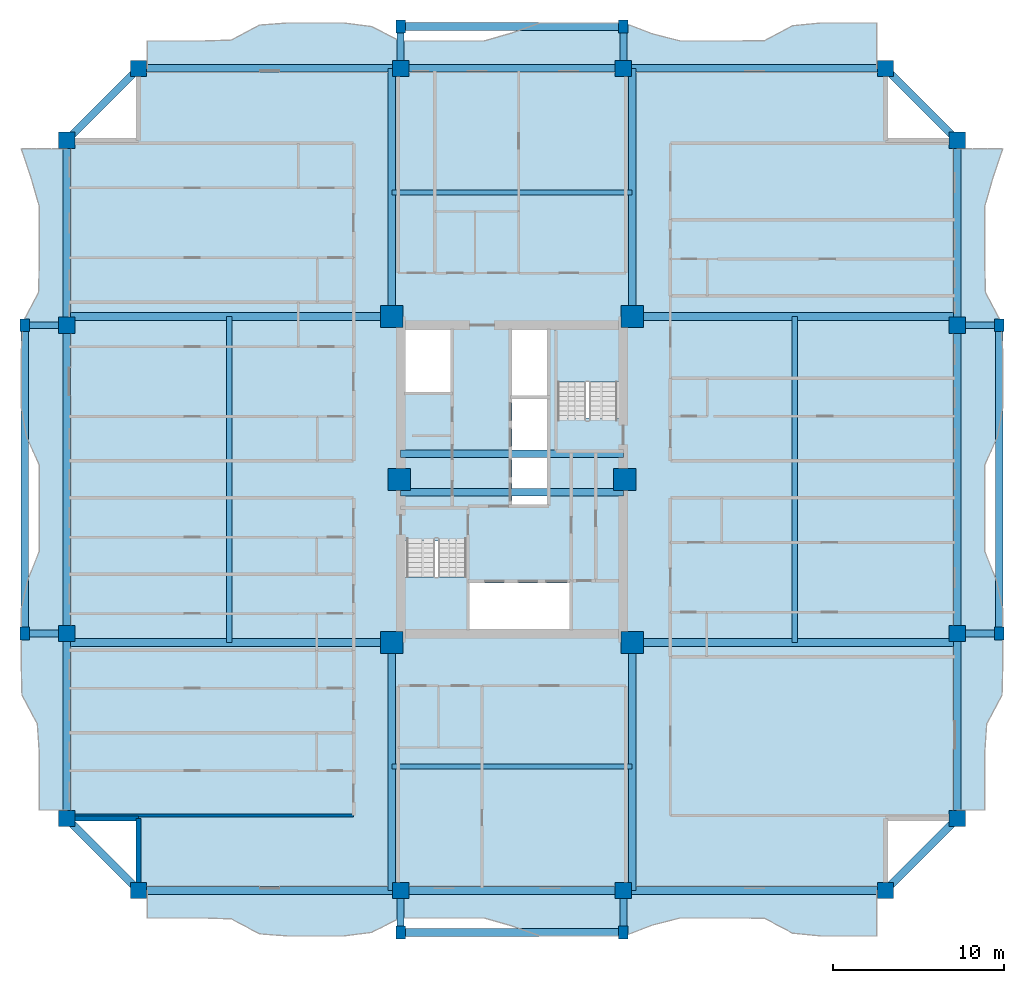
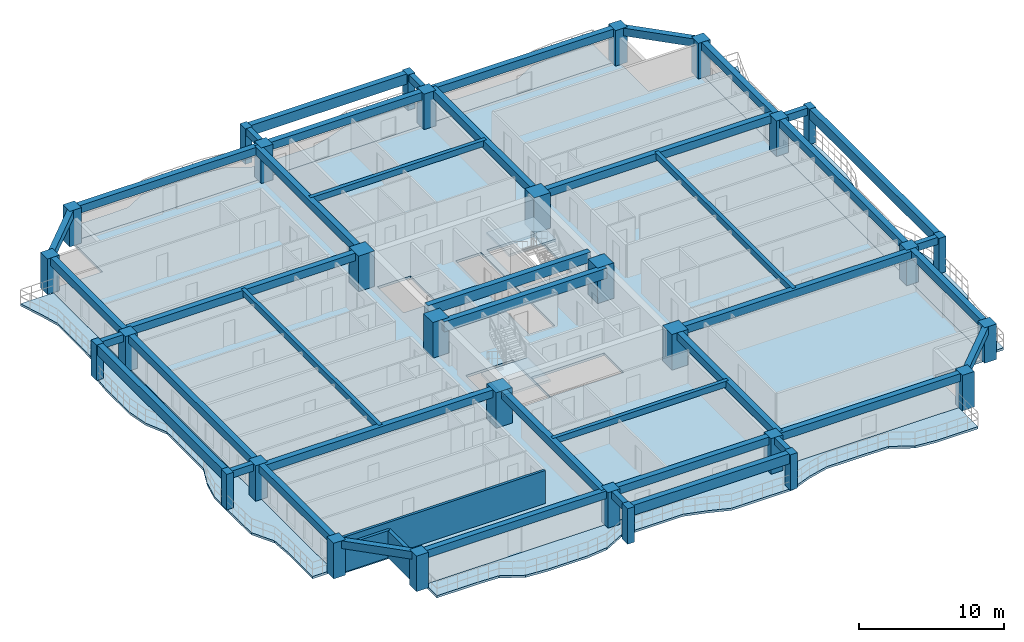
# One storey, part 1 of 13: 42 beams, 30 columns, 7 slabs, 3 walls, 2 elements without a shape of their own.
"""IFC4 building model written with IfcOpenShell, lengths in metres."""

import ifcopenshell
import ifcopenshell.guid

model = None  # the IFC model being written
_history = None  # IfcOwnerHistory: only IFC2X3 demands one
_inside = {}  # id of a spatial element -> (the spatial element, [elements in it])
_under = {}  # id of a project, library or spatial element -> (it, [spatial elements below it])
_declared = {}  # id of a project -> (the project, [libraries it declares])
_typed = {}  # id of a type object -> (the type object, [elements of that type])
_made_of = {}  # id of a material, layer set ... -> (it, [elements and type objects made of it])


def new_model(schema):
    """Start an empty IFC model of exactly this schema.

    Asked for "IFC4X3", IfcOpenShell would pick the latest addendum, in which some entities
    have other attributes; the version numbers below select the first issue.
    IFC2X3 requires an IfcOwnerHistory on every rooted entity: one is made here for all.
    """
    global model, _history
    if schema == "IFC4X3":
        model = ifcopenshell.file(schema_version=(4, 3, 0, 0))
    else:
        model = ifcopenshell.file(schema=schema)
    _inside.clear()
    _under.clear()
    _declared.clear()
    _typed.clear()
    _made_of.clear()
    _history = None
    if model.schema == "IFC2X3":
        org = make("IfcOrganization", Name="unknown")
        user = make(
            "IfcPersonAndOrganization",
            ThePerson=make("IfcPerson", FamilyName="unknown"),
            TheOrganization=org,
        )
        app = make(
            "IfcApplication",
            ApplicationDeveloper=org,
            Version="unknown",
            ApplicationFullName="unknown",
            ApplicationIdentifier="unknown",
        )
        _history = make(
            "IfcOwnerHistory",
            OwningUser=user,
            OwningApplication=app,
            ChangeAction="ADDED",
            CreationDate=0,
        )
    return model


def make(cls, **values):
    """One entity of the class cls with the attributes given. An attribute that is None is left unset."""
    return model.create_entity(
        cls, **{name: value for name, value in values.items() if value is not None}
    )


def rooted(cls, **values):
    """An entity with a GlobalId (a new one), such as an element, a storey or a relation."""
    return make(cls, GlobalId=ifcopenshell.guid.new(), OwnerHistory=_history, **values)


def si_unit(unit_type, name, prefix=None):
    """IfcSIUnit, for example si_unit("LENGTHUNIT", "METRE", prefix="MILLI")."""
    return make("IfcSIUnit", UnitType=unit_type, Prefix=prefix, Name=name)


def assignment(units):
    """IfcUnitAssignment: the units of a project."""
    return None if units is None else make("IfcUnitAssignment", Units=units)


def point(xyz):
    """IfcCartesianPoint."""
    return None if xyz is None else make("IfcCartesianPoint", Coordinates=xyz)


def direction(xyz):
    """IfcDirection."""
    return None if xyz is None else make("IfcDirection", DirectionRatios=xyz)


def frame(location, z_axis=None, x_axis=None):
    """IfcAxis2Placement3D, a coordinate frame: its origin and axes. An axis left out is left unset."""
    return make(
        "IfcAxis2Placement3D",
        Location=point(location),
        Axis=direction(z_axis),
        RefDirection=direction(x_axis),
    )


def frame_2d(location, x_axis=None):
    """IfcAxis2Placement2D, a coordinate frame in the plane: its origin and x axis."""
    return make(
        "IfcAxis2Placement2D", Location=point(location), RefDirection=direction(x_axis)
    )


def origin():
    """The frame at (0, 0, 0) with its axes left unset."""
    return frame((0.0, 0.0, 0.0))


def origin_2d():
    """The frame at (0, 0) in the plane with its x axis left unset."""
    return frame_2d((0.0, 0.0))


def place(relative_to, where):
    """IfcLocalPlacement: puts the frame where relative to a parent placement (None: the world)."""
    return make(
        "IfcLocalPlacement", PlacementRelTo=relative_to, RelativePlacement=where
    )


def context(
    kind, dimensions, precision=None, world=None, true_north=None, identifier=None
):
    """IfcGeometricRepresentationContext, for example the 3D "Model" context."""
    return make(
        "IfcGeometricRepresentationContext",
        ContextIdentifier=identifier,
        ContextType=kind,
        CoordinateSpaceDimension=dimensions,
        Precision=precision,
        WorldCoordinateSystem=world,
        TrueNorth=true_north,
    )


def subcontext(parent, identifier, kind, view, scale=None):
    """IfcGeometricRepresentationSubContext, for example "Body" below "Model"."""
    return make(
        "IfcGeometricRepresentationSubContext",
        ContextIdentifier=identifier,
        ContextType=kind,
        ParentContext=parent,
        TargetScale=scale,
        TargetView=view,
    )


def project(units=None, contexts=None):
    """IfcProject with its units and contexts."""
    return rooted(
        "IfcProject",
        Name="project",
        RepresentationContexts=contexts,
        UnitsInContext=assignment(units),
    )


def spatial(cls, under=None, at=None, **own):
    """A site, building, storey or space (cls), placed at a placement, below another one or the project."""
    s = rooted(cls, ObjectPlacement=at, **own)
    if under is not None:
        _under.setdefault(under.id(), (under, []))[1].append(s)
    return s


def polyline(points):
    """IfcPolyline through the points."""
    return make("IfcPolyline", Points=[point(p) for p in points])


def profile(cls, at=None, kind="AREA", **sizes):
    """A parametric profile (cls). Its sizes go by their IFC names, for example OverallWidth=200.0."""
    return make(cls, ProfileType=kind, Position=at, **sizes)


def rectangle(**sizes):
    """IfcRectangleProfileDef."""
    return profile("IfcRectangleProfileDef", **sizes)


def outline(outer, holes=None, kind="AREA"):
    """IfcArbitraryClosedProfileDef: a profile drawn as a closed curve; with holes, ...WithVoids."""
    if holes is None:
        return make("IfcArbitraryClosedProfileDef", ProfileType=kind, OuterCurve=outer)
    return make(
        "IfcArbitraryProfileDefWithVoids",
        ProfileType=kind,
        OuterCurve=outer,
        InnerCurves=holes,
    )


def extrude(swept, where, along, depth):
    """IfcExtrudedAreaSolid: the profile swept, set in the frame where, extruded along a direction by depth."""
    return make(
        "IfcExtrudedAreaSolid",
        SweptArea=swept,
        Position=where,
        ExtrudedDirection=direction(along),
        Depth=depth,
    )


def shape(context_of_items, identifier, shape_type, items):
    """IfcShapeRepresentation: the items that make up one representation, for example the "Body"."""
    return make(
        "IfcShapeRepresentation",
        ContextOfItems=context_of_items,
        RepresentationIdentifier=identifier,
        RepresentationType=shape_type,
        Items=items,
    )


def source(mapping_origin, context_of_items, identifier, shape_type, items):
    """IfcRepresentationMap: a shape defined once, which mapped items show again and again."""
    return make(
        "IfcRepresentationMap",
        MappingOrigin=mapping_origin,
        MappedRepresentation=shape(context_of_items, identifier, shape_type, items),
    )


def transform(
    local_origin,
    x_axis=None,
    y_axis=None,
    z_axis=None,
    scale=None,
    scale2=None,
    scale3=None,
    uniform=True,
):
    """IfcCartesianTransformationOperator3D, or its non-uniform kind. x_axis, y_axis, z_axis: its Axis1, 2, 3."""
    if uniform:
        return make(
            "IfcCartesianTransformationOperator3D",
            Axis1=direction(x_axis),
            Axis2=direction(y_axis),
            LocalOrigin=point(local_origin),
            Scale=scale,
            Axis3=direction(z_axis),
        )
    return make(
        "IfcCartesianTransformationOperator3DnonUniform",
        Axis1=direction(x_axis),
        Axis2=direction(y_axis),
        LocalOrigin=point(local_origin),
        Scale=scale,
        Axis3=direction(z_axis),
        Scale2=scale2,
        Scale3=scale3,
    )


def mapped(mapping_source, mapping_target):
    """IfcMappedItem: shows the shape of a source again, moved by a transform."""
    return make(
        "IfcMappedItem", MappingSource=mapping_source, MappingTarget=mapping_target
    )


def material(Name=None, Category=None):
    """IfcMaterial."""
    return make("IfcMaterial", Name=Name, Category=Category)


def layer(
    of_material, thickness, ventilated=None, Name=None, Category=None, Priority=None
):
    """IfcMaterialLayer: one layer of a wall or slab, of a material (None: an air gap)."""
    return make(
        "IfcMaterialLayer",
        Material=of_material,
        LayerThickness=thickness,
        IsVentilated=ventilated,
        Name=Name,
        Category=Category,
        Priority=Priority,
    )


def layer_set(layers, Name=None):
    """IfcMaterialLayerSet."""
    return make("IfcMaterialLayerSet", MaterialLayers=layers, LayerSetName=Name)


def material_profile(
    of_material, cross_section, Name=None, Category=None, Priority=None
):
    """IfcMaterialProfile: a cross section and its material."""
    return make(
        "IfcMaterialProfile",
        Name=Name,
        Material=of_material,
        Profile=cross_section,
        Priority=Priority,
        Category=Category,
    )


def profile_set(profiles, Name=None, composite=None):
    """IfcMaterialProfileSet."""
    return make(
        "IfcMaterialProfileSet",
        Name=Name,
        MaterialProfiles=profiles,
        CompositeProfile=composite,
    )


def made_of(thing, what):
    """Note that an element or type object is made of a material, layer set ...; save() writes the relation."""
    if what is not None:
        _made_of.setdefault(what.id(), (what, []))[1].append(thing)
    return thing


def type_object(cls, material=None, **own):
    """A type object (cls), such as IfcWallType, which elements share."""
    return made_of(rooted(cls, **own), material)


def element(
    cls,
    number,
    at=None,
    inside=None,
    cuts=None,
    type_object=None,
    material=None,
    context=None,
    identifier="Body",
    shape_type=None,
    held_by="IfcProductDefinitionShape",
    body=None,
    shapes=None,
    **own,
):
    """One element of the class cls, such as IfcWall. Its Tag is "e" and its number.

    at: its placement. inside: the storey or other place that contains it. cuts: it is an
    opening in that element (IfcRelVoidsElement). A single representation is given by context,
    identifier, shape_type and body (its items); several are given by shapes. held_by: the class
    of the entity that holds the representations. save() writes the other relations.
    """
    e = rooted(cls, Tag="e%d" % number, ObjectPlacement=at, **own)
    if body is not None:
        shapes = [shape(context, identifier, shape_type, body)]
    if shapes is not None:
        e.Representation = make(held_by, Representations=shapes)
    if inside is not None:
        _inside.setdefault(inside.id(), (inside, []))[1].append(e)
    if cuts is not None:
        rooted(
            "IfcRelVoidsElement", RelatingBuildingElement=cuts, RelatedOpeningElement=e
        )
    if type_object is not None:
        _typed.setdefault(type_object.id(), (type_object, []))[1].append(e)
    return made_of(e, material)


def aggregate(whole, parts):
    """IfcRelAggregates: a whole, such as a stair, and the parts it consists of."""
    return rooted("IfcRelAggregates", RelatingObject=whole, RelatedObjects=parts)


def save(model, path):
    """Write the relations noted so far, then the file.

    IfcRelAggregates (storeys below a building ...), IfcRelContainedInSpatialStructure (elements
    in a storey), IfcRelDefinesByType, IfcRelAssociatesMaterial and IfcRelDeclares: one each for
    every whole, place, type object, material and project.
    """
    for whole, parts in _under.values():
        aggregate(whole, parts)
    for where, things in _inside.values():
        rooted(
            "IfcRelContainedInSpatialStructure",
            RelatedElements=things,
            RelatingStructure=where,
        )
    for kind, things in _typed.values():
        rooted("IfcRelDefinesByType", RelatedObjects=things, RelatingType=kind)
    for what, things in _made_of.values():
        rooted("IfcRelAssociatesMaterial", RelatedObjects=things, RelatingMaterial=what)
    for by, libraries in _declared.values():
        rooted("IfcRelDeclares", RelatingContext=by, RelatedDefinitions=libraries)
    model.write(path)


model = new_model("IFC4")

# Units and contexts
model_context = context("Model", 3, precision=1e-05, world=origin(), true_north=direction((0.0, 1.0)))
body_context = subcontext(model_context, "Body", "Model", "MODEL_VIEW")
ifc_project = project(units=[si_unit("LENGTHUNIT", "METRE"), si_unit("AREAUNIT", "SQUARE_METRE"), si_unit("VOLUMEUNIT", "CUBIC_METRE"), si_unit("PLANEANGLEUNIT", "RADIAN"), si_unit("MASSUNIT", "GRAM", prefix="KILO")], contexts=[model_context])

# Site, building, storey
site_placement = place(None, origin())
site = spatial("IfcSite", under=ifc_project, at=site_placement, CompositionType="ELEMENT")
building_placement = place(site_placement, origin())
building = spatial("IfcBuilding", under=site, at=building_placement, Name="Saelheon Loggia Tower", CompositionType="ELEMENT")
storey_placement = place(building_placement, frame((0.0, 0.0, 129.75)))
storey = spatial("IfcBuildingStorey", under=building, at=storey_placement, Name="L41", CompositionType="ELEMENT", Elevation=129.75)

# Columns
ifc_material_1 = material(Name="Precast Concrete C45/55", Category="concrete")
ifc_material_profile_1 = material_profile(ifc_material_1, rectangle(XDim=0.550048828125, YDim=0.75, at=origin_2d()), Name="RC-550x750")
ifc_profile_set_1 = profile_set([ifc_material_profile_1], Name="Precast Concrete C45/55")
column_type_1 = type_object("IfcColumnType", Name="Col_Loggia_Pilaster_750", PredefinedType="PILASTER", material=ifc_profile_set_1)
shared_shape_1 = source(origin(), body_context, "Body", "SweptSolid", [
    extrude(rectangle(XDim=0.550048828125, YDim=0.75, at=origin_2d()), origin(), (0.0, 0.0, 1.0), 3.0),
])
for number, where, z_axis, x_axis, name in (
    (1, (31.5, 0.550048828125, 0.0), (0.0, 0.0, 1.0), (1.0, 0.0, 0.0), "L41 Loggia Frame Pilaster LP-S1"),
    (2, (44.5, 0.550048828125, 0.0), (0.0, 0.0, 1.0), (1.0, 0.0, 0.0), "L41 Loggia Frame Pilaster LP-S2"),
    (3, (31.5, 53.449951171875, 0.0), (0.0, 0.0, 1.0), (1.0, 0.0, 0.0), "L41 Loggia Frame Pilaster LP-N1"),
    (4, (44.5, 53.449951171875, 0.0), (0.0, 0.0, 1.0), (1.0, 0.0, 0.0), "L41 Loggia Frame Pilaster LP-N2"),
    (5, (66.449951171875, 18.0, 0.0), (0.0, 0.0, 1.0), (1.0, 0.0, 0.0), "L41 Loggia Frame Pilaster LP-E1"),
    (6, (66.449951171875, 36.0, 0.0), (0.0, 0.0, 1.0), (1.0, 0.0, 0.0), "L41 Loggia Frame Pilaster LP-E2"),
    (7, (9.550048828125, 18.0, 0.0), (0.0, 0.0, 1.0), (1.0, 0.0, 0.0), "L41 Loggia Frame Pilaster LP-W1"),
    (8, (9.550048828125, 36.0, 0.0), (0.0, 0.0, 1.0), (1.0, 0.0, 0.0), "L41 Loggia Frame Pilaster LP-W2"),
):
    element("IfcColumn", number, at=place(storey_placement, frame(where, z_axis=z_axis, x_axis=x_axis)), inside=storey, type_object=column_type_1, Name=name, PredefinedType="PILASTER", context=body_context, shape_type="MappedRepresentation", body=[
        mapped(shared_shape_1, transform((0.0, 0.0, 0.0), scale=1.0)),
    ])
ifc_material_2 = material(Name="Concrete C60/75", Category="concrete")
ifc_material_profile_2 = material_profile(ifc_material_2, rectangle(XDim=1.300048828125, YDim=1.300048828125, at=origin_2d()), Name="RC-1300x1300")
ifc_profile_set_2 = profile_set([ifc_material_profile_2], Name="Concrete C60/75")
column_type_2 = type_object("IfcColumnType", Name="Col_Core_RC1300", PredefinedType="COLUMN", material=ifc_profile_set_2)
shared_shape_2 = source(origin(), body_context, "Body", "SweptSolid", [
    extrude(rectangle(XDim=1.300048828125, YDim=1.300048828125, at=origin_2d()), origin(), (0.0, 0.0, 1.0), 3.0),
])
for number, where, z_axis, x_axis, name in (
    (9, (30.97998046875, 17.47998046875, 0.0), (0.0, 0.0, 1.0), (1.0, 0.0, 0.0), "L41 Core Column CR-SW"),
    (10, (45.02001953125, 17.47998046875, 0.0), (0.0, 0.0, 1.0), (1.0, 0.0, 0.0), "L41 Core Column CR-SE"),
    (11, (30.97998046875, 36.52001953125, 0.0), (0.0, 0.0, 1.0), (1.0, 0.0, 0.0), "L41 Core Column CR-NW"),
    (12, (45.02001953125, 36.52001953125, 0.0), (0.0, 0.0, 1.0), (1.0, 0.0, 0.0), "L41 Core Column CR-NE"),
    (13, (31.419921875, 27.0, 0.0), (0.0, 0.0, 1.0), (1.0, 0.0, 0.0), "L41 Core Column CR-MW"),
    (14, (44.580078125, 27.0, 0.0), (0.0, 0.0, 1.0), (1.0, 0.0, 0.0), "L41 Core Column CR-ME"),
):
    element("IfcColumn", number, at=place(storey_placement, frame(where, z_axis=z_axis, x_axis=x_axis)), inside=storey, type_object=column_type_2, Name=name, PredefinedType="COLUMN", context=body_context, shape_type="MappedRepresentation", body=[
        mapped(shared_shape_2, transform((0.0, 0.0, 0.0), scale=1.0)),
    ])
ifc_material_3 = material(Name="Concrete C50/60", Category="concrete")
ifc_material_profile_3 = material_profile(ifc_material_3, rectangle(XDim=0.949951171875, YDim=0.949951171875, at=origin_2d()), Name="RC-950x950")
ifc_profile_set_3 = profile_set([ifc_material_profile_3], Name="Concrete C50/60")
column_type_3 = type_object("IfcColumnType", Name="Col_Perim_RC950", PredefinedType="COLUMN", material=ifc_profile_set_3)
shared_shape_3 = source(origin(), body_context, "Body", "SweptSolid", [
    extrude(rectangle(XDim=0.949951171875, YDim=0.949951171875, at=origin_2d()), origin(), (0.0, 0.0, 1.0), 3.0),
])
for number, where, z_axis, x_axis, name in (
    (15, (16.199951171875, 3.0, 0.0), (0.0, 0.0, 1.0), (1.0, 0.0, 0.0), "L41 Perimeter Column TP-S1"),
    (16, (31.5, 3.0, 0.0), (0.0, 0.0, 1.0), (1.0, 0.0, 0.0), "L41 Perimeter Column TP-SA"),
    (17, (44.5, 3.0, 0.0), (0.0, 0.0, 1.0), (1.0, 0.0, 0.0), "L41 Perimeter Column TP-SB"),
    (18, (59.800048828125, 3.0, 0.0), (0.0, 0.0, 1.0), (1.0, 0.0, 0.0), "L41 Perimeter Column TP-S2"),
    (19, (64.0, 7.199951171875, 0.0), (0.0, 0.0, 1.0), (1.0, 0.0, 0.0), "L41 Perimeter Column TP-E1"),
    (20, (64.0, 18.0, 0.0), (0.0, 0.0, 1.0), (1.0, 0.0, 0.0), "L41 Perimeter Column TP-EA"),
    (21, (64.0, 36.0, 0.0), (0.0, 0.0, 1.0), (1.0, 0.0, 0.0), "L41 Perimeter Column TP-EB"),
    (22, (64.0, 46.800048828125, 0.0), (0.0, 0.0, 1.0), (1.0, 0.0, 0.0), "L41 Perimeter Column TP-E2"),
    (23, (59.800048828125, 51.0, 0.0), (0.0, 0.0, 1.0), (1.0, 0.0, 0.0), "L41 Perimeter Column TP-N2"),
    (24, (44.5, 51.0, 0.0), (0.0, 0.0, 1.0), (1.0, 0.0, 0.0), "L41 Perimeter Column TP-NB"),
    (25, (31.5, 51.0, 0.0), (0.0, 0.0, 1.0), (1.0, 0.0, 0.0), "L41 Perimeter Column TP-NA"),
    (26, (16.199951171875, 51.0, 0.0), (0.0, 0.0, 1.0), (1.0, 0.0, 0.0), "L41 Perimeter Column TP-N1"),
    (27, (12.0, 46.800048828125, 0.0), (0.0, 0.0, 1.0), (1.0, 0.0, 0.0), "L41 Perimeter Column TP-W2"),
    (28, (12.0, 36.0, 0.0), (0.0, 0.0, 1.0), (1.0, 0.0, 0.0), "L41 Perimeter Column TP-WB"),
    (29, (12.0, 18.0, 0.0), (0.0, 0.0, 1.0), (1.0, 0.0, 0.0), "L41 Perimeter Column TP-WA"),
    (30, (12.0, 7.199951171875, 0.0), (0.0, 0.0, 1.0), (1.0, 0.0, 0.0), "L41 Perimeter Column TP-W1"),
):
    element("IfcColumn", number, at=place(storey_placement, frame(where, z_axis=z_axis, x_axis=x_axis)), inside=storey, type_object=column_type_3, Name=name, PredefinedType="COLUMN", context=body_context, shape_type="MappedRepresentation", body=[
        mapped(shared_shape_3, transform((0.0, 0.0, 0.0), scale=1.0)),
    ])

# Beams
ifc_material_profile_4 = material_profile(ifc_material_3, rectangle(XDim=0.449951171875, YDim=0.85009765625, at=origin_2d()), Name="RC-450x850")
ifc_profile_set_4 = profile_set([ifc_material_profile_4], Name="Concrete C50/60")
beam_type_1 = type_object("IfcBeamType", Name="Beam_CoreLintel_RC450x850", PredefinedType="LINTEL", material=ifc_profile_set_4)
shared_shape_4 = source(origin(), body_context, "Body", "SweptSolid", [
    extrude(rectangle(XDim=0.449951171875, YDim=0.85009765625, at=origin_2d()), origin(), (0.0, 0.0, 1.0), 13.0),
])
for number, where, z_axis, x_axis, name in (
    (31, (31.5, 26.25, 2.574951171875), (1.0, 0.0, 0.0), (0.0, 1.0, 0.0), "L41 Core Coupling Lintel 1"),
    (32, (31.5, 28.5, 2.574951171875), (1.0, 0.0, 0.0), (0.0, 1.0, 0.0), "L41 Core Coupling Lintel 2"),
):
    element("IfcBeam", number, at=place(storey_placement, frame(where, z_axis=z_axis, x_axis=x_axis)), inside=storey, type_object=beam_type_1, Name=name, PredefinedType="LINTEL", context=body_context, shape_type="MappedRepresentation", body=[
        mapped(shared_shape_4, transform((0.0, 0.0, 0.0), scale=1.0)),
    ])
ifc_material_profile_5 = material_profile(ifc_material_1, rectangle(XDim=0.449951171875, YDim=0.85009765625, at=origin_2d()), Name="RC-450x850")
ifc_profile_set_5 = profile_set([ifc_material_profile_5], Name="Precast Concrete C45/55")
beam_type_2 = type_object("IfcBeamType", Name="Beam_LoggiaSpandrel_RC450x850", PredefinedType="SPANDREL", material=ifc_profile_set_5)
for number, where, z_axis, x_axis, name in (
    (33, (31.5, 0.550048828125, 2.574951171875), (1.0, 0.0, 0.0), (0.0, 1.0, 0.0), "L41 Loggia Spandrel Beam S"),
    (34, (31.5, 53.449951171875, 2.574951171875), (1.0, 0.0, 0.0), (0.0, 1.0, 0.0), "L41 Loggia Spandrel Beam N"),
):
    element("IfcBeam", number, at=place(storey_placement, frame(where, z_axis=z_axis, x_axis=x_axis)), inside=storey, type_object=beam_type_2, Name=name, PredefinedType="SPANDREL", context=body_context, shape_type="MappedRepresentation", body=[
        mapped(shared_shape_4, transform((0.0, 0.0, 0.0), scale=1.0)),
    ])
ifc_material_profile_6 = material_profile(ifc_material_1, rectangle(XDim=0.39990234375, YDim=0.60009765625, at=origin_2d()), Name="RC-400x600")
ifc_profile_set_6 = profile_set([ifc_material_profile_6], Name="Precast Concrete C45/55")
beam_type_3 = type_object("IfcBeamType", Name="Beam_LoggiaTie_RC400x600", PredefinedType="BEAM", material=ifc_profile_set_6)
shared_shape_5 = source(origin(), body_context, "Body", "SweptSolid", [
    extrude(rectangle(XDim=0.39990234375, YDim=0.60009765625, at=origin_2d()), origin(), (0.0, 0.0, 1.0), 2.449951171875),
])
for number, where, z_axis, x_axis, name in (
    (35, (31.5, 3.0, 2.699951171875), (0.0, -1.0, 0.0), (1.0, 0.0, 0.0), "L41 Loggia Frame Tie Beam LP-S1"),
    (36, (44.5, 3.0, 2.699951171875), (0.0, -1.0, 0.0), (1.0, 0.0, 0.0), "L41 Loggia Frame Tie Beam LP-S2"),
    (37, (31.5, 51.0, 2.699951171875), (0.0, 1.0, 0.0), (-1.0, 0.0, 0.0), "L41 Loggia Frame Tie Beam LP-N1"),
    (38, (44.5, 51.0, 2.699951171875), (0.0, 1.0, 0.0), (-1.0, 0.0, 0.0), "L41 Loggia Frame Tie Beam LP-N2"),
    (39, (64.0, 18.0, 2.699951171875), (1.0, 0.0, 0.0), (0.0, 1.0, 0.0), "L41 Loggia Frame Tie Beam LP-E1"),
    (40, (64.0, 36.0, 2.699951171875), (1.0, 0.0, 0.0), (0.0, 1.0, 0.0), "L41 Loggia Frame Tie Beam LP-E2"),
    (41, (12.0, 18.0, 2.699951171875), (-1.0, 0.0, 0.0), (0.0, -1.0, 0.0), "L41 Loggia Frame Tie Beam LP-W1"),
    (42, (12.0, 36.0, 2.699951171875), (-1.0, 0.0, 0.0), (0.0, -1.0, 0.0), "L41 Loggia Frame Tie Beam LP-W2"),
):
    element("IfcBeam", number, at=place(storey_placement, frame(where, z_axis=z_axis, x_axis=x_axis)), inside=storey, type_object=beam_type_3, Name=name, PredefinedType="BEAM", context=body_context, shape_type="MappedRepresentation", body=[
        mapped(shared_shape_5, transform((0.0, 0.0, 0.0), scale=1.0)),
    ])
shared_shape_6 = source(origin(), body_context, "Body", "SweptSolid", [
    extrude(rectangle(XDim=0.449951171875, YDim=0.85009765625, at=origin_2d()), origin(), (0.0, 0.0, 1.0), 18.0),
])
for number, where, z_axis, x_axis, name in (
    (43, (66.449951171875, 18.0, 2.574951171875), (0.0, 1.0, 0.0), (-1.0, 0.0, 0.0), "L41 Loggia Spandrel Beam E"),
    (44, (9.550048828125, 18.0, 2.574951171875), (0.0, 1.0, 0.0), (-1.0, 0.0, 0.0), "L41 Loggia Spandrel Beam W"),
):
    element("IfcBeam", number, at=place(storey_placement, frame(where, z_axis=z_axis, x_axis=x_axis)), inside=storey, type_object=beam_type_2, Name=name, PredefinedType="SPANDREL", context=body_context, shape_type="MappedRepresentation", body=[
        mapped(shared_shape_6, transform((0.0, 0.0, 0.0), scale=1.0)),
    ])
ifc_material_4 = material(Name="Concrete C40/50", Category="concrete")
ifc_material_profile_7 = material_profile(ifc_material_4, rectangle(XDim=0.449951171875, YDim=0.64990234375, at=origin_2d()), Name="RC-450x650")
ifc_profile_set_7 = profile_set([ifc_material_profile_7], Name="Concrete C40/50")
beam_type_4 = type_object("IfcBeamType", Name="Beam_PerimTower_RC450x650", PredefinedType="BEAM", material=ifc_profile_set_7)
shared_shape_7 = source(origin(), body_context, "Body", "SweptSolid", [
    extrude(rectangle(XDim=0.449951171875, YDim=0.64990234375, at=origin_2d()), origin(), (0.0, 0.0, 1.0), 15.300048828125),
])
for number, where, z_axis, x_axis, name in (
    (45, (16.199951171875, 3.0, 2.675048828125), (1.0, 0.0, 0.0), (0.0, 1.0, 0.0), "L41 Perimeter Frame Girder 01"),
    (46, (44.5, 3.0, 2.675048828125), (1.0, 0.0, 0.0), (0.0, 1.0, 0.0), "L41 Perimeter Frame Girder 03"),
    (47, (59.800048828125, 51.0, 2.675048828125), (-1.0, 0.0, 0.0), (0.0, -1.0, 0.0), "L41 Perimeter Frame Girder 09"),
    (48, (31.5, 51.0, 2.675048828125), (-1.0, 0.0, 0.0), (0.0, -1.0, 0.0), "L41 Perimeter Frame Girder 11"),
):
    element("IfcBeam", number, at=place(storey_placement, frame(where, z_axis=z_axis, x_axis=x_axis)), inside=storey, type_object=beam_type_4, Name=name, PredefinedType="BEAM", context=body_context, shape_type="MappedRepresentation", body=[
        mapped(shared_shape_7, transform((0.0, 0.0, 0.0), scale=1.0)),
    ])
shared_shape_8 = source(origin(), body_context, "Body", "SweptSolid", [
    extrude(rectangle(XDim=0.449951171875, YDim=0.64990234375, at=origin_2d()), origin(), (0.0, 0.0, 1.0), 13.0),
])
for number, where, z_axis, x_axis, name in (
    (49, (31.5, 3.0, 2.675048828125), (1.0, 0.0, 0.0), (0.0, 1.0, 0.0), "L41 Perimeter Frame Girder 02"),
    (50, (44.5, 51.0, 2.675048828125), (-1.0, 0.0, 0.0), (0.0, -1.0, 0.0), "L41 Perimeter Frame Girder 10"),
):
    element("IfcBeam", number, at=place(storey_placement, frame(where, z_axis=z_axis, x_axis=x_axis)), inside=storey, type_object=beam_type_4, Name=name, PredefinedType="BEAM", context=body_context, shape_type="MappedRepresentation", body=[
        mapped(shared_shape_8, transform((0.0, 0.0, 0.0), scale=1.0)),
    ])
shared_shape_9 = source(origin(), body_context, "Body", "SweptSolid", [
    extrude(rectangle(XDim=0.449951171875, YDim=0.64990234375, at=origin_2d()), origin(), (0.0, 0.0, 1.0), 5.939697265625),
])
for number, where, z_axis, x_axis, name in (
    (51, (59.800048828125, 3.0, 2.675048828125), (0.707106781187, 0.707106781187, 0.0), (-0.707106781187, 0.707106781187, 0.0), "L41 Perimeter Frame Girder 04"),
    (52, (64.0, 46.800048828125, 2.675048828125), (-0.707106781187, 0.707106781187, 0.0), (-0.707106781187, -0.707106781187, 0.0), "L41 Perimeter Frame Girder 08"),
    (53, (16.199951171875, 51.0, 2.675048828125), (-0.707106781187, -0.707106781187, 0.0), (0.707106781187, -0.707106781187, 0.0), "L41 Perimeter Frame Girder 12"),
    (54, (12.0, 7.199951171875, 2.675048828125), (0.707106781187, -0.707106781187, 0.0), (0.707106781187, 0.707106781187, 0.0), "L41 Perimeter Frame Girder 16"),
):
    element("IfcBeam", number, at=place(storey_placement, frame(where, z_axis=z_axis, x_axis=x_axis)), inside=storey, type_object=beam_type_4, Name=name, PredefinedType="BEAM", context=body_context, shape_type="MappedRepresentation", body=[
        mapped(shared_shape_9, transform((0.0, 0.0, 0.0), scale=1.0)),
    ])
shared_shape_10 = source(origin(), body_context, "Body", "SweptSolid", [
    extrude(rectangle(XDim=0.449951171875, YDim=0.64990234375, at=origin_2d()), origin(), (0.0, 0.0, 1.0), 10.800048828125),
])
for number, where, z_axis, x_axis, name in (
    (55, (64.0, 7.199951171875, 2.675048828125), (0.0, 1.0, 0.0), (-1.0, 0.0, 0.0), "L41 Perimeter Frame Girder 05"),
    (56, (64.0, 36.0, 2.675048828125), (0.0, 1.0, 0.0), (-1.0, 0.0, 0.0), "L41 Perimeter Frame Girder 07"),
    (57, (12.0, 46.800048828125, 2.675048828125), (0.0, -1.0, 0.0), (1.0, 0.0, 0.0), "L41 Perimeter Frame Girder 13"),
    (58, (12.0, 18.0, 2.675048828125), (0.0, -1.0, 0.0), (1.0, 0.0, 0.0), "L41 Perimeter Frame Girder 15"),
):
    element("IfcBeam", number, at=place(storey_placement, frame(where, z_axis=z_axis, x_axis=x_axis)), inside=storey, type_object=beam_type_4, Name=name, PredefinedType="BEAM", context=body_context, shape_type="MappedRepresentation", body=[
        mapped(shared_shape_10, transform((0.0, 0.0, 0.0), scale=1.0)),
    ])
shared_shape_11 = source(origin(), body_context, "Body", "SweptSolid", [
    extrude(rectangle(XDim=0.449951171875, YDim=0.64990234375, at=origin_2d()), origin(), (0.0, 0.0, 1.0), 18.0),
])
for number, where, z_axis, x_axis, name in (
    (59, (64.0, 18.0, 2.675048828125), (0.0, 1.0, 0.0), (-1.0, 0.0, 0.0), "L41 Perimeter Frame Girder 06"),
    (60, (12.0, 36.0, 2.675048828125), (0.0, -1.0, 0.0), (1.0, 0.0, 0.0), "L41 Perimeter Frame Girder 14"),
):
    element("IfcBeam", number, at=place(storey_placement, frame(where, z_axis=z_axis, x_axis=x_axis)), inside=storey, type_object=beam_type_4, Name=name, PredefinedType="BEAM", context=body_context, shape_type="MappedRepresentation", body=[
        mapped(shared_shape_11, transform((0.0, 0.0, 0.0), scale=1.0)),
    ])
ifc_material_profile_8 = material_profile(ifc_material_4, rectangle(XDim=0.449951171875, YDim=0.64990234375, at=origin_2d()), Name="RC-450x650")
ifc_profile_set_8 = profile_set([ifc_material_profile_8], Name="Concrete C40/50")
beam_type_5 = type_object("IfcBeamType", Name="Beam_TowerGirder_RC450x650", PredefinedType="BEAM", material=ifc_profile_set_8)
shared_shape_12 = source(origin(), body_context, "Body", "SweptSolid", [
    extrude(rectangle(XDim=0.449951171875, YDim=0.64990234375, at=origin_2d()), origin(), (0.0, 0.0, 1.0), 14.47998046875),
])
for number, where, z_axis, x_axis, name in (
    (61, (30.97998046875, 17.47998046875, 2.675048828125), (0.0, -1.0, 0.0), (1.0, 0.0, 0.0), "L41 Radial Floor Girder RAD-SW-S"),
    (62, (45.02001953125, 17.47998046875, 2.675048828125), (0.0, -1.0, 0.0), (1.0, 0.0, 0.0), "L41 Radial Floor Girder RAD-SE-S"),
    (63, (30.97998046875, 36.52001953125, 2.675048828125), (0.0, 1.0, 0.0), (-1.0, 0.0, 0.0), "L41 Radial Floor Girder RAD-NW-N"),
    (64, (45.02001953125, 36.52001953125, 2.675048828125), (0.0, 1.0, 0.0), (-1.0, 0.0, 0.0), "L41 Radial Floor Girder RAD-NE-N"),
):
    element("IfcBeam", number, at=place(storey_placement, frame(where, z_axis=z_axis, x_axis=x_axis)), inside=storey, type_object=beam_type_5, Name=name, PredefinedType="BEAM", context=body_context, shape_type="MappedRepresentation", body=[
        mapped(shared_shape_12, transform((0.0, 0.0, 0.0), scale=1.0)),
    ])
shared_shape_13 = source(origin(), body_context, "Body", "SweptSolid", [
    extrude(rectangle(XDim=0.449951171875, YDim=0.64990234375, at=origin_2d()), origin(), (0.0, 0.0, 1.0), 18.97998046875),
])
for number, where, z_axis, x_axis, name in (
    (65, (30.97998046875, 17.47998046875, 2.675048828125), (-1.0, 0.0, 0.0), (0.0, -1.0, 0.0), "L41 Radial Floor Girder RAD-SW-W"),
    (66, (30.97998046875, 36.52001953125, 2.675048828125), (-1.0, 0.0, 0.0), (0.0, -1.0, 0.0), "L41 Radial Floor Girder RAD-NW-W"),
    (67, (45.02001953125, 17.47998046875, 2.675048828125), (1.0, 0.0, 0.0), (0.0, 1.0, 0.0), "L41 Radial Floor Girder RAD-SE-E"),
    (68, (45.02001953125, 36.52001953125, 2.675048828125), (1.0, 0.0, 0.0), (0.0, 1.0, 0.0), "L41 Radial Floor Girder RAD-NE-E"),
):
    element("IfcBeam", number, at=place(storey_placement, frame(where, z_axis=z_axis, x_axis=x_axis)), inside=storey, type_object=beam_type_5, Name=name, PredefinedType="BEAM", context=body_context, shape_type="MappedRepresentation", body=[
        mapped(shared_shape_13, transform((0.0, 0.0, 0.0), scale=1.0)),
    ])
ifc_material_profile_9 = material_profile(ifc_material_4, rectangle(XDim=0.300048828125, YDim=0.5, at=origin_2d()), Name="RC-300x500")
ifc_profile_set_9 = profile_set([ifc_material_profile_9], Name="Concrete C40/50")
beam_type_6 = type_object("IfcBeamType", Name="Beam_Joist_RC300x500", PredefinedType="JOIST", material=ifc_profile_set_9)
shared_shape_14 = source(origin(), body_context, "Body", "SweptSolid", [
    extrude(rectangle(XDim=0.300048828125, YDim=0.5, at=origin_2d()), origin(), (0.0, 0.0, 1.0), 14.0400390625),
])
for number, where, z_axis, x_axis, name in (
    (69, (30.97998046875, 10.239990234375, 2.75), (1.0, 0.0, 0.0), (0.0, 1.0, 0.0), "L41 South Floor Joist"),
    (70, (30.97998046875, 43.760009765625, 2.75), (1.0, 0.0, 0.0), (0.0, 1.0, 0.0), "L41 North Floor Joist"),
):
    element("IfcBeam", number, at=place(storey_placement, frame(where, z_axis=z_axis, x_axis=x_axis)), inside=storey, type_object=beam_type_6, Name=name, PredefinedType="JOIST", context=body_context, shape_type="MappedRepresentation", body=[
        mapped(shared_shape_14, transform((0.0, 0.0, 0.0), scale=1.0)),
    ])
shared_shape_15 = source(origin(), body_context, "Body", "SweptSolid", [
    extrude(rectangle(XDim=0.300048828125, YDim=0.5, at=origin_2d()), origin(), (0.0, 0.0, 1.0), 19.0400390625),
])
for number, where, z_axis, x_axis, name in (
    (71, (21.489990234375, 17.47998046875, 2.75), (0.0, 1.0, 0.0), (-1.0, 0.0, 0.0), "L41 West Floor Joist"),
    (72, (54.510009765625, 17.47998046875, 2.75), (0.0, 1.0, 0.0), (-1.0, 0.0, 0.0), "L41 East Floor Joist"),
):
    element("IfcBeam", number, at=place(storey_placement, frame(where, z_axis=z_axis, x_axis=x_axis)), inside=storey, type_object=beam_type_6, Name=name, PredefinedType="JOIST", context=body_context, shape_type="MappedRepresentation", body=[
        mapped(shared_shape_15, transform((0.0, 0.0, 0.0), scale=1.0)),
    ])

# Slabs
ifc_layer_1 = layer(ifc_material_1, 0.18994140625)
ifc_layer_set_1 = layer_set([ifc_layer_1], Name="Precast Concrete C45/55")
slab_type_1 = type_object("IfcSlabType", Name="Slab_Loggia_Ext_190", PredefinedType="FLOOR", material=ifc_layer_set_1)
slab_1_placement = place(storey_placement, frame((0.0, 0.0, -0.18994140625)))
element("IfcSlab", 73, at=slab_1_placement, inside=storey, type_object=slab_type_1, Name="L41 Loggia Balcony Slab S", PredefinedType="FLOOR", context=body_context, shape_type="SweptSolid", body=[
    extrude(outline(polyline([(16.699951171875, 1.39990234375), (18.33837890625, 1.39990234375), (19.976806640625, 1.39990234375), (21.615478515625, 1.34619140625), (23.25390625, 0.472412109375), (24.892333984375, 0.35009765625), (26.53076171875, 0.35009765625), (28.169189453125, 0.35009765625), (29.8076171875, 0.5576171875), (31.4462890625, 1.39990234375), (33.084716796875, 1.39990234375), (34.72314453125, 1.39990234375), (36.361572265625, 1.39990234375), (38.0, 0.931396484375), (39.638427734375, 0.35009765625), (41.27685546875, 0.35009765625), (42.915283203125, 0.35009765625), (44.5537109375, 0.35009765625), (46.1923828125, 0.9814453125), (47.830810546875, 1.39990234375), (49.46923828125, 1.39990234375), (51.107666015625, 1.39990234375), (52.74609375, 1.381103515625), (54.384521484375, 0.5087890625), (56.023193359375, 0.35009765625), (57.66162109375, 0.35009765625), (59.300048828125, 0.35009765625), (59.300048828125, 3.0), (16.699951171875, 3.0), (16.699951171875, 1.39990234375)])), origin(), (0.0, 0.0, 1.0), 0.18994140625),
])
slab_2_placement = place(storey_placement, frame((0.0, 0.0, -0.18994140625)))
element("IfcSlab", 74, at=slab_2_placement, inside=storey, type_object=slab_type_1, Name="L41 Loggia Balcony Slab N", PredefinedType="FLOOR", context=body_context, shape_type="SweptSolid", body=[
    extrude(outline(polyline([(16.699951171875, 51.0), (59.300048828125, 51.0), (59.300048828125, 53.64990234375), (57.66162109375, 53.64990234375), (56.023193359375, 53.64990234375), (54.384521484375, 53.4912109375), (52.74609375, 52.618896484375), (51.107666015625, 52.60009765625), (49.46923828125, 52.60009765625), (47.830810546875, 52.60009765625), (46.1923828125, 53.0185546875), (44.5537109375, 53.64990234375), (42.915283203125, 53.64990234375), (41.27685546875, 53.64990234375), (39.638427734375, 53.64990234375), (38.0, 53.068603515625), (36.361572265625, 52.60009765625), (34.72314453125, 52.60009765625), (33.084716796875, 52.60009765625), (31.4462890625, 52.60009765625), (29.8076171875, 53.4423828125), (28.169189453125, 53.64990234375), (26.53076171875, 53.64990234375), (24.892333984375, 53.64990234375), (23.25390625, 53.527587890625), (21.615478515625, 52.65380859375), (19.976806640625, 52.60009765625), (18.33837890625, 52.60009765625), (16.699951171875, 52.60009765625), (16.699951171875, 51.0)])), origin(), (0.0, 0.0, 1.0), 0.18994140625),
])
slab_3_placement = place(storey_placement, frame((0.0, 0.0, -0.18994140625)))
element("IfcSlab", 75, at=slab_3_placement, inside=storey, type_object=slab_type_1, Name="L41 Loggia Balcony Slab E", PredefinedType="FLOOR", context=body_context, shape_type="SweptSolid", body=[
    extrude(outline(polyline([(64.0, 7.699951171875), (65.60009765625, 7.699951171875), (65.60009765625, 9.37841796875), (65.60009765625, 11.056396484375), (65.714599609375, 12.73486328125), (66.60986328125, 14.4130859375), (66.64990234375, 16.09130859375), (66.64990234375, 17.76953125), (66.64990234375, 19.44775390625), (66.271484375, 21.126220703125), (65.60009765625, 22.80419921875), (65.60009765625, 24.482666015625), (65.60009765625, 26.160888671875), (65.60009765625, 27.839111328125), (66.34912109375, 29.517333984375), (66.64990234375, 31.19580078125), (66.64990234375, 32.873779296875), (66.64990234375, 34.55224609375), (66.535888671875, 36.23046875), (65.6416015625, 37.90869140625), (65.60009765625, 39.5869140625), (65.60009765625, 41.26513671875), (65.60009765625, 42.943603515625), (66.080322265625, 44.62158203125), (66.64990234375, 46.300048828125), (64.0, 46.300048828125), (64.0, 7.699951171875)])), origin(), (0.0, 0.0, 1.0), 0.18994140625),
])
slab_4_placement = place(storey_placement, frame((0.0, 0.0, -0.18994140625)))
element("IfcSlab", 76, at=slab_4_placement, inside=storey, type_object=slab_type_1, Name="L41 Loggia Balcony Slab W", PredefinedType="FLOOR", context=body_context, shape_type="SweptSolid", body=[
    extrude(outline(polyline([(12.0, 7.699951171875), (12.0, 46.300048828125), (9.35009765625, 46.300048828125), (9.919677734375, 44.62158203125), (10.39990234375, 42.943603515625), (10.39990234375, 41.26513671875), (10.39990234375, 39.5869140625), (10.3583984375, 37.90869140625), (9.464111328125, 36.23046875), (9.35009765625, 34.55224609375), (9.35009765625, 32.873779296875), (9.35009765625, 31.19580078125), (9.65087890625, 29.517333984375), (10.39990234375, 27.839111328125), (10.39990234375, 26.160888671875), (10.39990234375, 24.482666015625), (10.39990234375, 22.80419921875), (9.728515625, 21.126220703125), (9.35009765625, 19.44775390625), (9.35009765625, 17.76953125), (9.35009765625, 16.09130859375), (9.39013671875, 14.4130859375), (10.285400390625, 12.73486328125), (10.39990234375, 11.056396484375), (10.39990234375, 9.37841796875), (10.39990234375, 7.699951171875), (12.0, 7.699951171875)])), origin(), (0.0, 0.0, 1.0), 0.18994140625),
])

# Stair, slab
stair_type = type_object("IfcStairType", Name="Stair_Escape_Core", PredefinedType="HALF_TURN_STAIR", material=ifc_material_4)
stair_1_placement = place(storey_placement, origin())
stair_1 = element("IfcStair", 77, at=stair_1_placement, inside=storey, type_object=stair_type, Name="L41 Special Escape Stair ST1", PredefinedType="HALF_TURN_STAIR")
ifc_layer_2 = layer(ifc_material_4, 0.199951171875)
ifc_layer_set_2 = layer_set([ifc_layer_2], Name="Concrete C40/50")
slab_type_2 = type_object("IfcSlabType", Name="Slab_StairLanding_ST1", PredefinedType="LANDING", material=ifc_layer_set_2)
slab_5_placement = place(storey_placement, frame((0.0, 0.0, 1.300048828125)))
slab_5 = element("IfcSlab", 78, at=slab_5_placement, type_object=slab_type_2, Name="ST1 landing 1", PredefinedType="LANDING", context=body_context, shape_type="SweptSolid", body=[
    extrude(outline(polyline([(31.7099609375, 21.31005859375), (31.7099609375, 18.2099609375), (35.469970703125, 18.2099609375), (35.469970703125, 21.31005859375), (31.7099609375, 21.31005859375)])), origin(), (0.0, 0.0, 1.0), 0.199951171875),
])
aggregate(stair_1, [slab_5])

stair_2_placement = place(storey_placement, origin())
stair_2 = element("IfcStair", 79, at=stair_2_placement, inside=storey, type_object=stair_type, Name="L41 Special Escape Stair ST2", PredefinedType="HALF_TURN_STAIR")
ifc_layer_3 = layer(ifc_material_4, 0.199951171875)
ifc_layer_set_3 = layer_set([ifc_layer_3], Name="Concrete C40/50")
slab_type_3 = type_object("IfcSlabType", Name="Slab_StairLanding_ST2", PredefinedType="LANDING", material=ifc_layer_set_3)
slab_6_placement = place(storey_placement, frame((0.0, 0.0, 1.300048828125)))
slab_6 = element("IfcSlab", 80, at=slab_6_placement, type_object=slab_type_3, Name="ST2 landing 1", PredefinedType="LANDING", context=body_context, shape_type="SweptSolid", body=[
    extrude(outline(polyline([(44.2900390625, 32.68994140625), (44.2900390625, 35.7900390625), (40.530029296875, 35.7900390625), (40.530029296875, 32.68994140625), (44.2900390625, 32.68994140625)])), origin(), (0.0, 0.0, 1.0), 0.199951171875),
])
aggregate(stair_2, [slab_6])

# Slab
ifc_layer_4 = layer(ifc_material_4, 0.2099609375)
ifc_layer_set_4 = layer_set([ifc_layer_4], Name="Concrete C40/50")
slab_type_4 = type_object("IfcSlabType", Name="Slab_Tower_210", PredefinedType="FLOOR", material=ifc_layer_set_4)
slab_7_placement = place(storey_placement, frame((0.0, 0.0, -0.2099609375)))
element("IfcSlab", 81, at=slab_7_placement, inside=storey, type_object=slab_type_4, Name="L41 Tower Floor Slab", PredefinedType="FLOOR", context=body_context, shape_type="SweptSolid", body=[
    extrude(outline(polyline([(16.199951171875, 3.0), (59.800048828125, 3.0), (59.800048828125, 7.199951171875), (64.0, 7.199951171875), (64.0, 46.800048828125), (59.800048828125, 46.800048828125), (59.800048828125, 51.0), (16.199951171875, 51.0), (16.199951171875, 46.800048828125), (12.0, 46.800048828125), (12.0, 7.199951171875), (16.199951171875, 7.199951171875), (16.199951171875, 3.0)]), holes=[polyline([(31.699951171875, 23.409912109375), (31.699951171875, 18.199951171875), (35.47998046875, 18.199951171875), (35.47998046875, 23.409912109375), (31.699951171875, 23.409912109375)]), polyline([(44.300048828125, 30.590087890625), (44.300048828125, 35.800048828125), (40.52001953125, 35.800048828125), (40.52001953125, 30.590087890625), (44.300048828125, 30.590087890625)]), polyline([(35.530029296875, 18.27490234375), (41.35009765625, 18.27490234375), (41.35009765625, 20.9599609375), (35.530029296875, 20.9599609375), (35.530029296875, 18.27490234375)]), polyline([(31.77490234375, 32.1201171875), (34.419921875, 32.1201171875), (34.419921875, 35.72509765625), (31.77490234375, 35.72509765625), (31.77490234375, 32.1201171875)]), polyline([(38.0, 31.89990234375), (40.050048828125, 31.89990234375), (40.050048828125, 35.72509765625), (38.0, 35.72509765625), (38.0, 31.89990234375)]), polyline([(38.0, 25.5400390625), (40.050048828125, 25.5400390625), (40.050048828125, 31.699951171875), (38.0, 31.699951171875), (38.0, 25.5400390625)])]), origin(), (0.0, 0.0, 1.0), 0.2099609375),
])

# Walls
ifc_material_5 = material(Name="Architectural Precast Concrete C40/50", Category="concrete")
ifc_layer_5 = layer(ifc_material_5, 0.280029296875)
ifc_layer_set_5 = layer_set([ifc_layer_5], Name="Architectural Precast Concrete C40/50")
wall_type_1 = type_object("IfcWallType", Name="Wall_Ext_Loggia_280", PredefinedType="SOLIDWALL", material=ifc_layer_set_5)
for number, where, z_axis, x_axis, name in (
    (82, (16.199951171875, 3.080078125, 0.0), (0.0, 0.0, 1.0), (0.0, 1.0, 0.0), "L41 Corner Notch Precast Wall SW1"),
    (83, (12.080078125, 7.199951171875, 0.0), (0.0, 0.0, 1.0), (1.0, 0.0, 0.0), "L41 Corner Notch Precast Wall SW2"),
):
    element("IfcWall", number, at=place(storey_placement, frame(where, z_axis=z_axis, x_axis=x_axis)), inside=storey, type_object=wall_type_1, Name=name, PredefinedType="SOLIDWALL", context=body_context, shape_type="SweptSolid", body=[
        extrude(rectangle(XDim=4.119873046875, YDim=0.280029296875, at=frame_2d((2.06005859375, 0.0))), origin(), (0.0, 0.0, 1.0), 2.280029296875),
    ])
ifc_material_6 = material(Name="Double Acoustic Stud and Fireboard Partition", Category="gypsum")
ifc_layer_6 = layer(ifc_material_6, 0.199951171875)
ifc_layer_set_6 = layer_set([ifc_layer_6], Name="Double Acoustic Stud and Fireboard Partition")
wall_type_2 = type_object("IfcWallType", Name="Wall_Party_200", PredefinedType="PARTITIONING", material=ifc_layer_set_6)
wall_placement = place(storey_placement, frame((28.75, 7.3798828125, 0.0), z_axis=(0.0, 0.0, 1.0), x_axis=(-1.0, 0.0, 0.0)))
element("IfcWall", 84, at=wall_placement, inside=storey, type_object=wall_type_2, Name="L41 WS Partition U01", PredefinedType="PARTITIONING", context=body_context, shape_type="SweptSolid", body=[
    extrude(rectangle(XDim=16.60009765625, YDim=0.199951171875, at=frame_2d((8.300048828125, 0.0))), origin(), (0.0, 0.0, 1.0), 2.7900390625),
])

save(model, "model.ifc")
